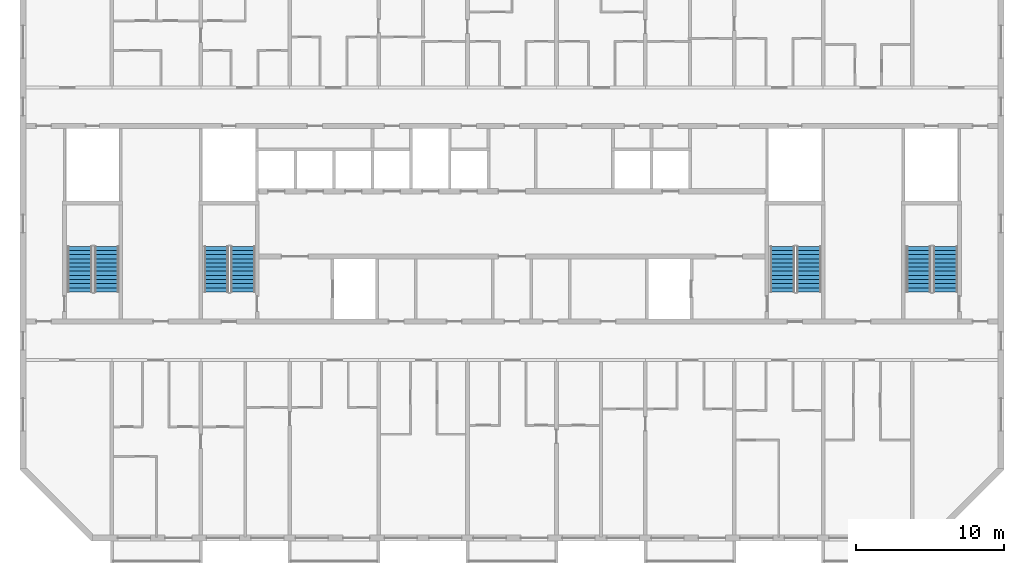
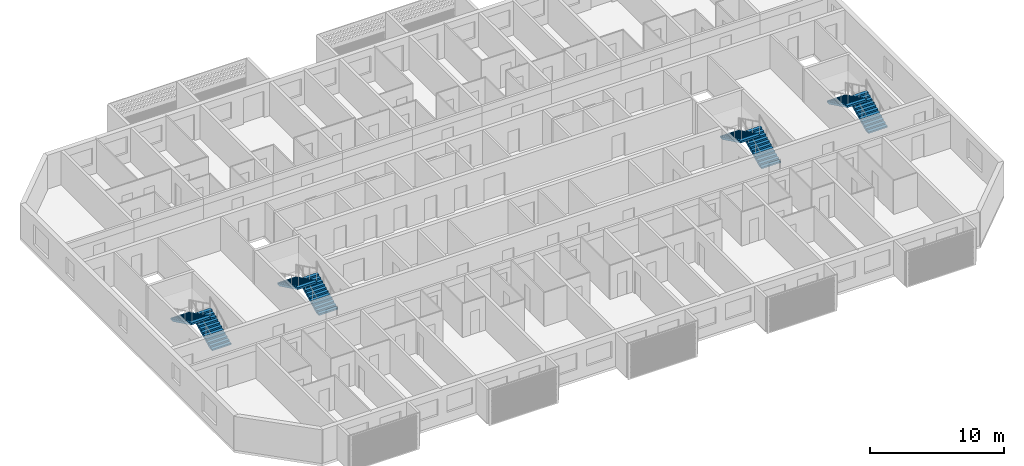
# One storey, part 12 of 27: 8 stair flights, 4 elements without a shape of their own.
"""IFC4 building model written with IfcOpenShell, lengths in metres."""

from ifc_helpers import new_model, si_unit, direction, frame, origin, place, context, subcontext, project, spatial, polyline, outline, extrude, material, layer, layer_set, type_object, element, aggregate, save


model = new_model("IFC4")

# Units and contexts
model_context = context("Model", 3, precision=1e-05, world=origin(), true_north=direction((0.0, 1.0)))
body_context = subcontext(model_context, "Body", "Model", "MODEL_VIEW")
ifc_project = project(units=[si_unit("LENGTHUNIT", "METRE"), si_unit("AREAUNIT", "SQUARE_METRE"), si_unit("VOLUMEUNIT", "CUBIC_METRE"), si_unit("PLANEANGLEUNIT", "RADIAN"), si_unit("MASSUNIT", "GRAM", prefix="KILO")], contexts=[model_context])

# Site, building, storey
site_placement = place(None, origin())
site = spatial("IfcSite", under=ifc_project, at=site_placement, CompositionType="ELEMENT")
building_placement = place(site_placement, origin())
building = spatial("IfcBuilding", under=site, at=building_placement, Name="Poui Terraces", CompositionType="ELEMENT")
storey_placement = place(building_placement, frame((0.0, 0.0, 251.10009765625)))
storey = spatial("IfcBuildingStorey", under=building, at=storey_placement, Name="L70", CompositionType="ELEMENT", Elevation=251.10009765625)

# Stair, stair flights
ifc_material = material(Name="Concrete 50 MPa", Category="concrete")
stair_type = type_object("IfcStairType", Name="EXIT STAIR 1650 50 MPA", PredefinedType="HALF_TURN_STAIR", material=ifc_material)
stair_1_placement = place(storey_placement, origin())
stair_1 = element("IfcStair", 1, at=stair_1_placement, inside=storey, type_object=stair_type, Name="L70 CORE STAIR EAST", PredefinedType="HALF_TURN_STAIR")
ifc_layer = layer(ifc_material, 0.14990234375)
ifc_layer_set = layer_set([ifc_layer], Name="Concrete 50 MPa")
stair_flight_type = type_object("IfcStairFlightType", Name="STAIR FLIGHT 12 RISERS 138 RISE 50 MPA", PredefinedType="STRAIGHT", material=ifc_layer_set)
stair_flight_1_placement = place(storey_placement, frame((71.050048828125, 16.60009765625, 0.0), z_axis=(0.0, 0.0, 1.0), x_axis=(0.0, 1.0, 0.0)))
stair_flight_1 = element("IfcStairFlight", 2, at=stair_flight_1_placement, type_object=stair_flight_type, Name="ST-CE flight 1", NumberOfRisers=12, NumberOfTreads=11, PredefinedType="STRAIGHT", RiserHeight=0.1375, TreadLength=0.28, context=body_context, shape_type="SweptSolid", body=[
    extrude(outline(polyline([(0.0, 0.0), (0.0, 0.137451171875), (0.280029296875, 0.137451171875), (0.280029296875, 0.27490234375), (0.56005859375, 0.27490234375), (0.56005859375, 0.41259765625), (0.840087890625, 0.41259765625), (0.840087890625, 0.550048828125), (1.1201171875, 0.550048828125), (1.1201171875, 0.6875), (1.39990234375, 0.6875), (1.39990234375, 0.824951171875), (1.679931640625, 0.824951171875), (1.679931640625, 0.96240234375), (1.9599609375, 0.96240234375), (1.9599609375, 1.10009765625), (2.239990234375, 1.10009765625), (2.239990234375, 1.237548828125), (2.52001953125, 1.237548828125), (2.52001953125, 1.375), (2.800048828125, 1.375), (2.800048828125, 1.512451171875), (3.080078125, 1.512451171875), (3.080078125, 1.64990234375), (3.080078125, 1.345458984375), (0.340087890625, 0.0), (0.0, 0.0)])), frame((0.0, 0.824951171875, 0.0), z_axis=(0.0, -1.0, 0.0), x_axis=(1.0, 0.0, 0.0)), (0.0, 0.0, 1.0), 1.64990234375),
])
stair_flight_2_placement = place(storey_placement, frame((69.25, 19.679931640625, 1.64990234375), z_axis=(0.0, 0.0, 1.0), x_axis=(0.0, -1.0, 0.0)))
stair_flight_2 = element("IfcStairFlight", 3, at=stair_flight_2_placement, type_object=stair_flight_type, Name="ST-CE flight 2", NumberOfRisers=12, NumberOfTreads=11, PredefinedType="STRAIGHT", RiserHeight=0.1375, TreadLength=0.28, context=body_context, shape_type="SweptSolid", body=[
    extrude(outline(polyline([(0.0, 0.0), (0.0, 0.137451171875), (0.280029296875, 0.137451171875), (0.280029296875, 0.27490234375), (0.56005859375, 0.27490234375), (0.56005859375, 0.41259765625), (0.840087890625, 0.41259765625), (0.840087890625, 0.550048828125), (1.1201171875, 0.550048828125), (1.1201171875, 0.6875), (1.39990234375, 0.6875), (1.39990234375, 0.824951171875), (1.679931640625, 0.824951171875), (1.679931640625, 0.96240234375), (1.9599609375, 0.96240234375), (1.9599609375, 1.10009765625), (2.239990234375, 1.10009765625), (2.239990234375, 1.237548828125), (2.52001953125, 1.237548828125), (2.52001953125, 1.375), (2.800048828125, 1.375), (2.800048828125, 1.512451171875), (3.080078125, 1.512451171875), (3.080078125, 1.64990234375), (3.080078125, 1.345458984375), (0.340087890625, 0.0), (0.0, 0.0)])), frame((0.0, 0.824951171875, 0.0), z_axis=(0.0, -1.0, 0.0), x_axis=(1.0, 0.0, 0.0)), (0.0, 0.0, 1.0), 1.64990234375),
])
aggregate(stair_1, [stair_flight_1, stair_flight_2])

stair_2_placement = place(storey_placement, origin())
stair_2 = element("IfcStair", 4, at=stair_2_placement, inside=storey, type_object=stair_type, Name="L70 CORE STAIR WEST", PredefinedType="HALF_TURN_STAIR")
stair_flight_3_placement = place(storey_placement, frame((32.85009765625, 16.60009765625, 0.0), z_axis=(0.0, 0.0, 1.0), x_axis=(0.0, 1.0, 0.0)))
stair_flight_3 = element("IfcStairFlight", 5, at=stair_flight_3_placement, type_object=stair_flight_type, Name="ST-CW flight 1", NumberOfRisers=12, NumberOfTreads=11, PredefinedType="STRAIGHT", RiserHeight=0.1375, TreadLength=0.28, context=body_context, shape_type="SweptSolid", body=[
    extrude(outline(polyline([(0.0, 0.0), (0.0, 0.137451171875), (0.280029296875, 0.137451171875), (0.280029296875, 0.27490234375), (0.56005859375, 0.27490234375), (0.56005859375, 0.41259765625), (0.840087890625, 0.41259765625), (0.840087890625, 0.550048828125), (1.1201171875, 0.550048828125), (1.1201171875, 0.6875), (1.39990234375, 0.6875), (1.39990234375, 0.824951171875), (1.679931640625, 0.824951171875), (1.679931640625, 0.96240234375), (1.9599609375, 0.96240234375), (1.9599609375, 1.10009765625), (2.239990234375, 1.10009765625), (2.239990234375, 1.237548828125), (2.52001953125, 1.237548828125), (2.52001953125, 1.375), (2.800048828125, 1.375), (2.800048828125, 1.512451171875), (3.080078125, 1.512451171875), (3.080078125, 1.64990234375), (3.080078125, 1.345458984375), (0.340087890625, 0.0), (0.0, 0.0)])), frame((0.0, 0.824951171875, 0.0), z_axis=(0.0, -1.0, 0.0), x_axis=(1.0, 0.0, 0.0)), (0.0, 0.0, 1.0), 1.64990234375),
])
stair_flight_4_placement = place(storey_placement, frame((31.050048828125, 19.679931640625, 1.64990234375), z_axis=(0.0, 0.0, 1.0), x_axis=(0.0, -1.0, 0.0)))
stair_flight_4 = element("IfcStairFlight", 6, at=stair_flight_4_placement, type_object=stair_flight_type, Name="ST-CW flight 2", NumberOfRisers=12, NumberOfTreads=11, PredefinedType="STRAIGHT", RiserHeight=0.1375, TreadLength=0.28, context=body_context, shape_type="SweptSolid", body=[
    extrude(outline(polyline([(0.0, 0.0), (0.0, 0.137451171875), (0.280029296875, 0.137451171875), (0.280029296875, 0.27490234375), (0.56005859375, 0.27490234375), (0.56005859375, 0.41259765625), (0.840087890625, 0.41259765625), (0.840087890625, 0.550048828125), (1.1201171875, 0.550048828125), (1.1201171875, 0.6875), (1.39990234375, 0.6875), (1.39990234375, 0.824951171875), (1.679931640625, 0.824951171875), (1.679931640625, 0.96240234375), (1.9599609375, 0.96240234375), (1.9599609375, 1.10009765625), (2.239990234375, 1.10009765625), (2.239990234375, 1.237548828125), (2.52001953125, 1.237548828125), (2.52001953125, 1.375), (2.800048828125, 1.375), (2.800048828125, 1.512451171875), (3.080078125, 1.512451171875), (3.080078125, 1.64990234375), (3.080078125, 1.345458984375), (0.340087890625, 0.0), (0.0, 0.0)])), frame((0.0, 0.824951171875, 0.0), z_axis=(0.0, -1.0, 0.0), x_axis=(1.0, 0.0, 0.0)), (0.0, 0.0, 1.0), 1.64990234375),
])
aggregate(stair_2, [stair_flight_3, stair_flight_4])

stair_3_placement = place(storey_placement, origin())
stair_3 = element("IfcStair", 7, at=stair_3_placement, inside=storey, type_object=stair_type, Name="L70 TIP STAIR EAST", PredefinedType="HALF_TURN_STAIR")
stair_flight_5_placement = place(storey_placement, frame((80.25, 16.60009765625, 0.0), z_axis=(0.0, 0.0, 1.0), x_axis=(0.0, 1.0, 0.0)))
stair_flight_5 = element("IfcStairFlight", 8, at=stair_flight_5_placement, type_object=stair_flight_type, Name="ST-E flight 1", NumberOfRisers=12, NumberOfTreads=11, PredefinedType="STRAIGHT", RiserHeight=0.1375, TreadLength=0.28, context=body_context, shape_type="SweptSolid", body=[
    extrude(outline(polyline([(0.0, 0.0), (0.0, 0.137451171875), (0.280029296875, 0.137451171875), (0.280029296875, 0.27490234375), (0.56005859375, 0.27490234375), (0.56005859375, 0.41259765625), (0.840087890625, 0.41259765625), (0.840087890625, 0.550048828125), (1.1201171875, 0.550048828125), (1.1201171875, 0.6875), (1.39990234375, 0.6875), (1.39990234375, 0.824951171875), (1.679931640625, 0.824951171875), (1.679931640625, 0.96240234375), (1.9599609375, 0.96240234375), (1.9599609375, 1.10009765625), (2.239990234375, 1.10009765625), (2.239990234375, 1.237548828125), (2.52001953125, 1.237548828125), (2.52001953125, 1.375), (2.800048828125, 1.375), (2.800048828125, 1.512451171875), (3.080078125, 1.512451171875), (3.080078125, 1.64990234375), (3.080078125, 1.345458984375), (0.340087890625, 0.0), (0.0, 0.0)])), frame((0.0, 0.824951171875, 0.0), z_axis=(0.0, -1.0, 0.0), x_axis=(1.0, 0.0, 0.0)), (0.0, 0.0, 1.0), 1.64990234375),
])
stair_flight_6_placement = place(storey_placement, frame((78.449951171875, 19.679931640625, 1.64990234375), z_axis=(0.0, 0.0, 1.0), x_axis=(0.0, -1.0, 0.0)))
stair_flight_6 = element("IfcStairFlight", 9, at=stair_flight_6_placement, type_object=stair_flight_type, Name="ST-E flight 2", NumberOfRisers=12, NumberOfTreads=11, PredefinedType="STRAIGHT", RiserHeight=0.1375, TreadLength=0.28, context=body_context, shape_type="SweptSolid", body=[
    extrude(outline(polyline([(0.0, 0.0), (0.0, 0.137451171875), (0.280029296875, 0.137451171875), (0.280029296875, 0.27490234375), (0.56005859375, 0.27490234375), (0.56005859375, 0.41259765625), (0.840087890625, 0.41259765625), (0.840087890625, 0.550048828125), (1.1201171875, 0.550048828125), (1.1201171875, 0.6875), (1.39990234375, 0.6875), (1.39990234375, 0.824951171875), (1.679931640625, 0.824951171875), (1.679931640625, 0.96240234375), (1.9599609375, 0.96240234375), (1.9599609375, 1.10009765625), (2.239990234375, 1.10009765625), (2.239990234375, 1.237548828125), (2.52001953125, 1.237548828125), (2.52001953125, 1.375), (2.800048828125, 1.375), (2.800048828125, 1.512451171875), (3.080078125, 1.512451171875), (3.080078125, 1.64990234375), (3.080078125, 1.345458984375), (0.340087890625, 0.0), (0.0, 0.0)])), frame((0.0, 0.824951171875, 0.0), z_axis=(0.0, -1.0, 0.0), x_axis=(1.0, 0.0, 0.0)), (0.0, 0.0, 1.0), 1.64990234375),
])
aggregate(stair_3, [stair_flight_5, stair_flight_6])

stair_4_placement = place(storey_placement, origin())
stair_4 = element("IfcStair", 10, at=stair_4_placement, inside=storey, type_object=stair_type, Name="L70 TIP STAIR WEST", PredefinedType="HALF_TURN_STAIR")
stair_flight_7_placement = place(storey_placement, frame((23.64990234375, 16.60009765625, 0.0), z_axis=(0.0, 0.0, 1.0), x_axis=(0.0, 1.0, 0.0)))
stair_flight_7 = element("IfcStairFlight", 11, at=stair_flight_7_placement, type_object=stair_flight_type, Name="ST-W flight 1", NumberOfRisers=12, NumberOfTreads=11, PredefinedType="STRAIGHT", RiserHeight=0.1375, TreadLength=0.28, context=body_context, shape_type="SweptSolid", body=[
    extrude(outline(polyline([(0.0, 0.0), (0.0, 0.137451171875), (0.280029296875, 0.137451171875), (0.280029296875, 0.27490234375), (0.56005859375, 0.27490234375), (0.56005859375, 0.41259765625), (0.840087890625, 0.41259765625), (0.840087890625, 0.550048828125), (1.1201171875, 0.550048828125), (1.1201171875, 0.6875), (1.39990234375, 0.6875), (1.39990234375, 0.824951171875), (1.679931640625, 0.824951171875), (1.679931640625, 0.96240234375), (1.9599609375, 0.96240234375), (1.9599609375, 1.10009765625), (2.239990234375, 1.10009765625), (2.239990234375, 1.237548828125), (2.52001953125, 1.237548828125), (2.52001953125, 1.375), (2.800048828125, 1.375), (2.800048828125, 1.512451171875), (3.080078125, 1.512451171875), (3.080078125, 1.64990234375), (3.080078125, 1.345458984375), (0.340087890625, 0.0), (0.0, 0.0)])), frame((0.0, 0.824951171875, 0.0), z_axis=(0.0, -1.0, 0.0), x_axis=(1.0, 0.0, 0.0)), (0.0, 0.0, 1.0), 1.64990234375),
])
stair_flight_8_placement = place(storey_placement, frame((21.85009765625, 19.679931640625, 1.64990234375), z_axis=(0.0, 0.0, 1.0), x_axis=(0.0, -1.0, 0.0)))
stair_flight_8 = element("IfcStairFlight", 12, at=stair_flight_8_placement, type_object=stair_flight_type, Name="ST-W flight 2", NumberOfRisers=12, NumberOfTreads=11, PredefinedType="STRAIGHT", RiserHeight=0.1375, TreadLength=0.28, context=body_context, shape_type="SweptSolid", body=[
    extrude(outline(polyline([(0.0, 0.0), (0.0, 0.137451171875), (0.280029296875, 0.137451171875), (0.280029296875, 0.27490234375), (0.56005859375, 0.27490234375), (0.56005859375, 0.41259765625), (0.840087890625, 0.41259765625), (0.840087890625, 0.550048828125), (1.1201171875, 0.550048828125), (1.1201171875, 0.6875), (1.39990234375, 0.6875), (1.39990234375, 0.824951171875), (1.679931640625, 0.824951171875), (1.679931640625, 0.96240234375), (1.9599609375, 0.96240234375), (1.9599609375, 1.10009765625), (2.239990234375, 1.10009765625), (2.239990234375, 1.237548828125), (2.52001953125, 1.237548828125), (2.52001953125, 1.375), (2.800048828125, 1.375), (2.800048828125, 1.512451171875), (3.080078125, 1.512451171875), (3.080078125, 1.64990234375), (3.080078125, 1.345458984375), (0.340087890625, 0.0), (0.0, 0.0)])), frame((0.0, 0.824951171875, 0.0), z_axis=(0.0, -1.0, 0.0), x_axis=(1.0, 0.0, 0.0)), (0.0, 0.0, 1.0), 1.64990234375),
])
aggregate(stair_4, [stair_flight_7, stair_flight_8])

save(model, "model.ifc")
